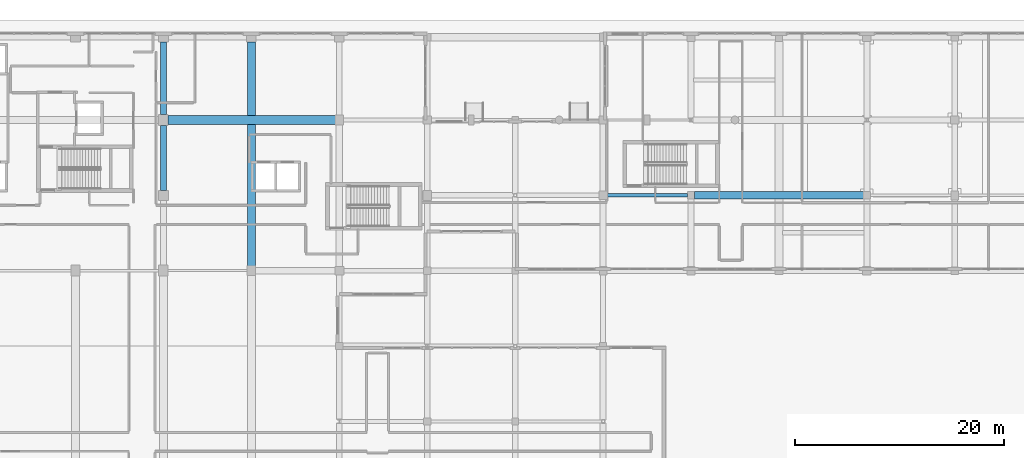
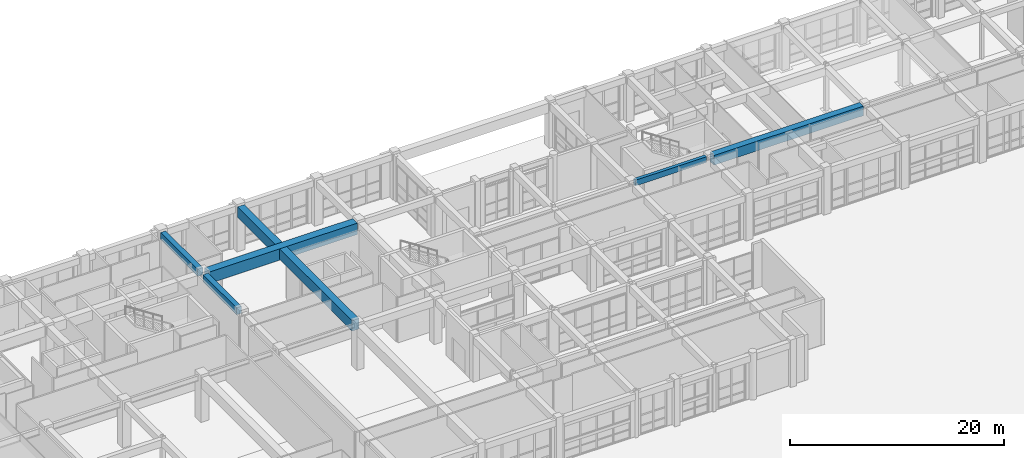
# One storey, part 82 of 148: 6 beams.
"""IFC4 building model written with IfcOpenShell, lengths in metres."""

from ifc_helpers import new_model, si_unit, direction, frame, origin, origin_2d, place, context, subcontext, project, spatial, rectangle, extrude, material, material_profile, profile_set, type_object, element, save


model = new_model("IFC4")

# Units and contexts
model_context = context("Model", 3, precision=1e-05, world=origin(), true_north=direction((0.0, 1.0)))
body_context = subcontext(model_context, "Body", "Model", "MODEL_VIEW")
ifc_project = project(units=[si_unit("LENGTHUNIT", "METRE"), si_unit("AREAUNIT", "SQUARE_METRE"), si_unit("VOLUMEUNIT", "CUBIC_METRE"), si_unit("PLANEANGLEUNIT", "RADIAN"), si_unit("MASSUNIT", "GRAM", prefix="KILO")], contexts=[model_context])

# Site, building, storey
site_placement = place(None, origin())
site = spatial("IfcSite", under=ifc_project, at=site_placement, CompositionType="ELEMENT")
building_placement = place(site_placement, origin())
building = spatial("IfcBuilding", under=site, at=building_placement, Name="Quendrovan Civic Courthouse", CompositionType="ELEMENT")
storey_placement = place(building_placement, origin())
storey = spatial("IfcBuildingStorey", under=building, at=storey_placement, Name="L01", CompositionType="ELEMENT", Elevation=0.0)

# Beams
ifc_material_1 = material(Name="Post-tensioned concrete C50/60", Category="concrete")
ifc_material_profile_1 = material_profile(ifc_material_1, rectangle(XDim=0.699951171875, YDim=1.10009765625, at=origin_2d()), Name="PT-GIRD-700x1100")
ifc_profile_set_1 = profile_set([ifc_material_profile_1], Name="Post-tensioned concrete C50/60")
beam_type_1 = type_object("IfcBeamType", Name="BM-PT1100", PredefinedType="BEAM", material=ifc_profile_set_1)
beam_1_placement = place(storey_placement, frame((117.929931640625, 94.800048828125, 4.570068359375), z_axis=(1.0, 0.0, 0.0), x_axis=(0.0, 1.0, 0.0)))
element("IfcBeam", 1, at=beam_1_placement, inside=storey, type_object=beam_type_1, Name="L01 Girder X0336", PredefinedType="BEAM", context=body_context, shape_type="SweptSolid", body=[
    extrude(rectangle(XDim=0.699951171875, YDim=1.10009765625, at=origin_2d()), origin(), (0.0, 0.0, 1.0), 16.14013671875),
])
ifc_material_profile_2 = material_profile(ifc_material_1, rectangle(XDim=0.75, YDim=1.199951171875, at=origin_2d()), Name="PT-GIRD-750x1200")
ifc_profile_set_2 = profile_set([ifc_material_profile_2], Name="Post-tensioned concrete C50/60")
beam_type_2 = type_object("IfcBeamType", Name="BM-PT1200", PredefinedType="BEAM", material=ifc_profile_set_2)
beam_2_placement = place(storey_placement, frame((75.60009765625, 88.054931640625, 4.52001953125), z_axis=(0.0, 1.0, 0.0), x_axis=(-1.0, 0.0, 0.0)))
element("IfcBeam", 2, at=beam_2_placement, inside=storey, type_object=beam_type_2, Name="L01 Girder Y0434", PredefinedType="BEAM", context=body_context, shape_type="SweptSolid", body=[
    extrude(rectangle(XDim=0.75, YDim=1.199951171875, at=origin_2d()), origin(), (0.0, 0.0, 1.0), 21.4150390625),
])
ifc_material_profile_3 = material_profile(ifc_material_1, rectangle(XDim=0.85009765625, YDim=1.300048828125, at=origin_2d()), Name="PT-GRD-850x1300")
ifc_profile_set_3 = profile_set([ifc_material_profile_3], Name="Post-tensioned concrete C50/60")
beam_type_3 = type_object("IfcBeamType", Name="BM-PT1300", PredefinedType="BEAM", material=ifc_profile_set_3)
beam_3_placement = place(storey_placement, frame((67.6298828125, 102.0, 4.469970703125), z_axis=(1.0, 0.0, 0.0), x_axis=(0.0, 1.0, 0.0)))
element("IfcBeam", 3, at=beam_3_placement, inside=storey, type_object=beam_type_3, Name="L01 Girder X0343", PredefinedType="BEAM", context=body_context, shape_type="SweptSolid", body=[
    extrude(rectangle(XDim=0.85009765625, YDim=1.300048828125, at=origin_2d()), origin(), (0.0, 0.0, 1.0), 15.990234375),
])
ifc_material_2 = material(Name="Concrete C40/50", Category="concrete")
ifc_material_profile_4 = material_profile(ifc_material_2, rectangle(XDim=0.35009765625, YDim=0.64990234375, at=origin_2d()), Name="RC-BM-350x650")
ifc_profile_set_4 = profile_set([ifc_material_profile_4], Name="Concrete C40/50")
beam_type_4 = type_object("IfcBeamType", Name="BM-RC650B", PredefinedType="BEAM", material=ifc_profile_set_4)
beam_4_placement = place(storey_placement, frame((109.580078125, 94.800048828125, 4.794921875), z_axis=(1.0, 0.0, 0.0), x_axis=(0.0, 1.0, 0.0)))
element("IfcBeam", 4, at=beam_4_placement, inside=storey, type_object=beam_type_4, Name="L01 Girder X0335", PredefinedType="BEAM", context=body_context, shape_type="SweptSolid", body=[
    extrude(rectangle(XDim=0.35009765625, YDim=0.64990234375, at=origin_2d()), origin(), (0.0, 0.0, 1.0), 7.68994140625),
])
ifc_material_profile_5 = material_profile(ifc_material_2, rectangle(XDim=0.550048828125, YDim=0.800048828125, at=origin_2d()), Name="RC-BM-550x800")
ifc_profile_set_5 = profile_set([ifc_material_profile_5], Name="Concrete C40/50")
beam_type_5 = type_object("IfcBeamType", Name="BM-RC800", PredefinedType="BEAM", material=ifc_profile_set_5)
beam_5_placement = place(storey_placement, frame((67.199951171875, 95.2548828125, 4.719970703125), z_axis=(0.0, 1.0, 0.0), x_axis=(-1.0, 0.0, 0.0)))
element("IfcBeam", 5, at=beam_5_placement, inside=storey, type_object=beam_type_5, Name="L01 Girder Y0429", PredefinedType="BEAM", context=body_context, shape_type="SweptSolid", body=[
    extrude(rectangle(XDim=0.550048828125, YDim=0.800048828125, at=origin_2d()), origin(), (0.0, 0.0, 1.0), 6.240234375),
])
beam_6_placement = place(storey_placement, frame((67.199951171875, 102.5048828125, 4.719970703125), z_axis=(0.0, 1.0, 0.0), x_axis=(-1.0, 0.0, 0.0)))
element("IfcBeam", 6, at=beam_6_placement, inside=storey, type_object=beam_type_5, Name="L01 Girder Y0430", PredefinedType="BEAM", context=body_context, shape_type="SweptSolid", body=[
    extrude(rectangle(XDim=0.550048828125, YDim=0.800048828125, at=origin_2d()), origin(), (0.0, 0.0, 1.0), 6.940185546875),
])

save(model, "model.ifc")
